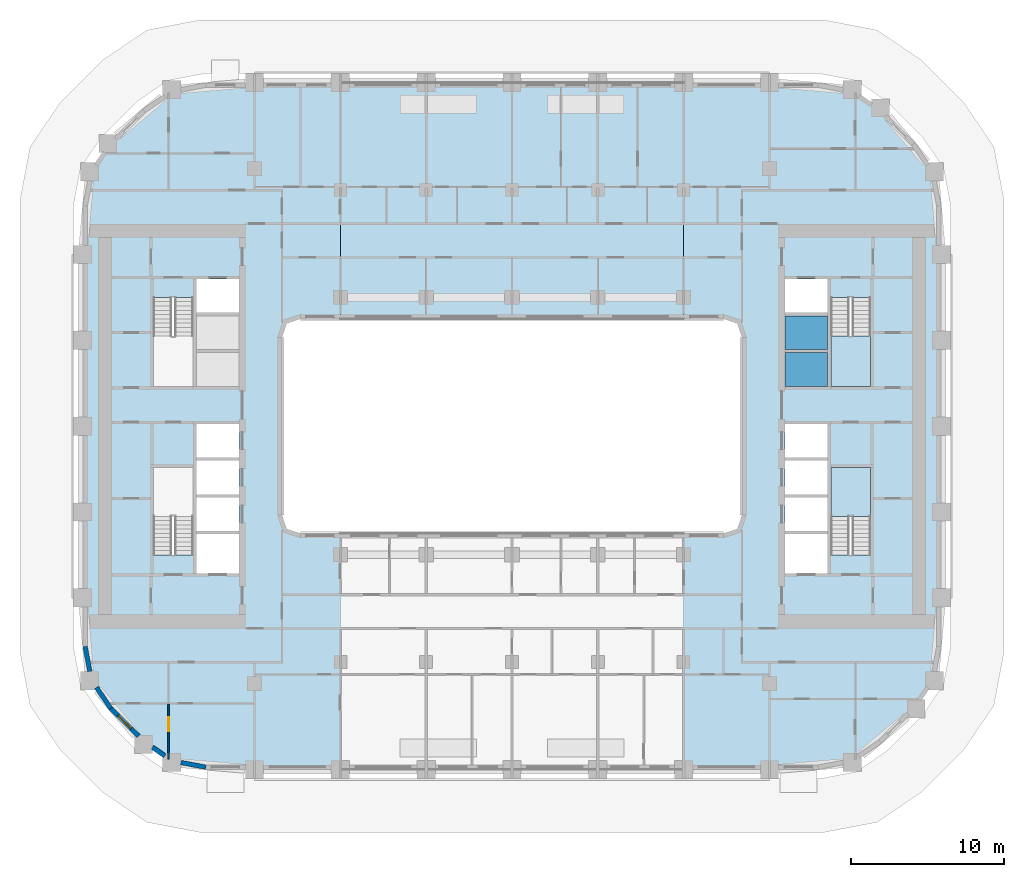
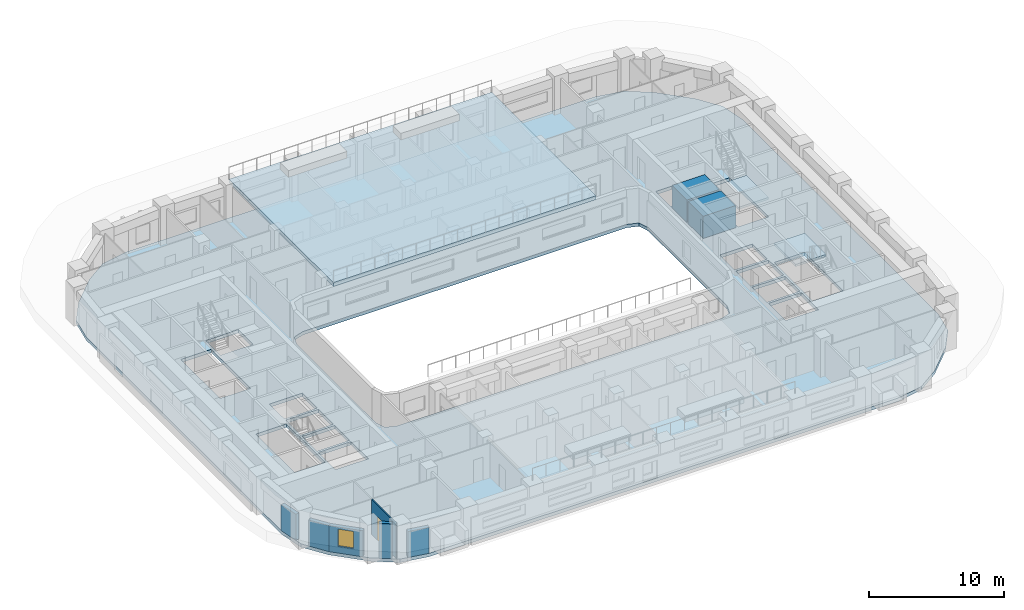
# One storey, part 2 of 18: 6 slabs, 6 walls, 1 door, 1 window, 2 openings, 2 elements without a shape of their own.
"""IFC4 building model written with IfcOpenShell, lengths in metres."""

from ifc_helpers import new_model, si_unit, direction, frame, frame_2d, origin, place, context, subcontext, project, spatial, polyline, rectangle, outline, extrude, material, layer, layer_set, type_object, element, fill, aggregate, save


model = new_model("IFC4")

# Units and contexts
model_context = context("Model", 3, precision=1e-05, world=origin(), true_north=direction((0.0, 1.0)))
body_context = subcontext(model_context, "Body", "Model", "MODEL_VIEW")
ifc_project = project(units=[si_unit("LENGTHUNIT", "METRE"), si_unit("AREAUNIT", "SQUARE_METRE"), si_unit("VOLUMEUNIT", "CUBIC_METRE"), si_unit("PLANEANGLEUNIT", "RADIAN"), si_unit("MASSUNIT", "GRAM", prefix="KILO")], contexts=[model_context])

# Site, building, storey
site_placement = place(None, origin())
site = spatial("IfcSite", under=ifc_project, at=site_placement, CompositionType="ELEMENT")
building_placement = place(site_placement, origin())
building = spatial("IfcBuilding", under=site, at=building_placement, Name="Kiln Ring Residences", CompositionType="ELEMENT")
storey_placement = place(building_placement, frame((0.0, 0.0, 121.800048828125)))
storey = spatial("IfcBuildingStorey", under=building, at=storey_placement, Name="L31", CompositionType="ELEMENT", Elevation=121.800048828125)

# Slabs
ifc_material_1 = material(Name="Concrete C40/50", Category="concrete")
ifc_layer_1 = layer(ifc_material_1, 2.0)
ifc_layer_set_1 = layer_set([ifc_layer_1], Name="CORE-PIT-BASE")
slab_type_1 = type_object("IfcSlabType", Name="CORE-PIT-BASE", PredefinedType="USERDEFINED", material=ifc_layer_set_1)
placement_1 = place(storey_placement, origin())
element("IfcSlab", 1, at=placement_1, inside=storey, type_object=slab_type_1, Name="Lift pit base E-M1", ObjectType="Lift pit base", PredefinedType="USERDEFINED", context=body_context, shape_type="SweptSolid", body=[
    extrude(outline(polyline([(17.800048828125, 2.60009765625), (20.60009765625, 2.60009765625), (20.60009765625, 4.800048828125), (17.800048828125, 4.800048828125), (17.800048828125, 2.60009765625)])), origin(), (0.0, 0.0, 1.0), 2.0),
])
element("IfcSlab", 2, at=placement_1, inside=storey, type_object=slab_type_1, Name="Lift pit base E-M2", ObjectType="Lift pit base", PredefinedType="USERDEFINED", context=body_context, shape_type="SweptSolid", body=[
    extrude(outline(polyline([(17.800048828125, 5.0), (20.60009765625, 5.0), (20.60009765625, 7.199951171875), (17.800048828125, 7.199951171875), (17.800048828125, 5.0)])), origin(), (0.0, 0.0, 1.0), 2.0),
])

# Stair, slab
ifc_material_2 = material(Name="Concrete C40/50", Category="concrete")
stair_type = type_object("IfcStairType", Name="CORE-STAIR", PredefinedType="HALF_TURN_STAIR", material=ifc_material_2)
stair_1 = element("IfcStair", 3, at=placement_1, inside=storey, type_object=stair_type, Name="L31 stair E-STN", PredefinedType="HALF_TURN_STAIR")
ifc_material_3 = material(Name="Concrete C40/50", Category="concrete")
ifc_layer_2 = layer(ifc_material_3, 0.199951171875)
ifc_layer_set_2 = layer_set([ifc_layer_2], Name="CORE-STAIR-LANDING")
slab_type_2 = type_object("IfcSlabType", Name="CORE-STAIR-LANDING", PredefinedType="LANDING", material=ifc_layer_set_2)
placement_2 = place(storey_placement, frame((0.0, 0.0, 1.550048828125)))
slab_3 = element("IfcSlab", 4, at=placement_2, type_object=slab_type_2, Name="E-STN landing 1", PredefinedType="LANDING", context=body_context, shape_type="SweptSolid", body=[
    extrude(outline(polyline([(20.800048828125, 5.8798828125), (20.800048828125, 2.60009765625), (23.39990234375, 2.60009765625), (23.39990234375, 5.8798828125), (20.800048828125, 5.8798828125)])), origin(), (0.0, 0.0, 1.0), 0.199951171875),
])
aggregate(stair_1, [slab_3])

stair_2 = element("IfcStair", 5, at=placement_1, inside=storey, type_object=stair_type, Name="L31 stair E-STS", PredefinedType="HALF_TURN_STAIR")
slab_4 = element("IfcSlab", 6, at=placement_2, type_object=slab_type_2, Name="E-STS landing 1", PredefinedType="LANDING", context=body_context, shape_type="SweptSolid", body=[
    extrude(outline(polyline([(23.39990234375, -5.8798828125), (23.39990234375, -2.699951171875), (20.800048828125, -2.699951171875), (20.800048828125, -5.8798828125), (23.39990234375, -5.8798828125)])), origin(), (0.0, 0.0, 1.0), 0.199951171875),
])
aggregate(stair_2, [slab_4])

# Slabs
ifc_material_4 = material(Name="Concrete C40/50", Category="concrete")
ifc_layer_3 = layer(ifc_material_4, 0.300048828125)
ifc_layer_set_3 = layer_set([ifc_layer_3], Name="Floor slab 300")
slab_type_3 = type_object("IfcSlabType", Name="Floor slab 300", PredefinedType="FLOOR", material=ifc_layer_set_3)
slab_5_placement = place(storey_placement, frame((0.0, 0.0, -0.300048828125)))
element("IfcSlab", 7, at=slab_5_placement, inside=storey, type_object=slab_type_3, Name="Floor slab L31 1", PredefinedType="FLOOR", context=body_context, shape_type="SweptSolid", body=[
    extrude(outline(polyline([(-26.302978515625, -18.4970703125), (-24.09716796875, -20.702880859375), (-22.224365234375, -21.975830078125), (-20.0, -22.39990234375), (20.0, -22.39990234375), (22.224365234375, -21.975830078125), (24.09716796875, -20.702880859375), (26.302978515625, -18.4970703125), (27.57568359375, -16.624267578125), (28.0, -14.39990234375), (28.0, 14.39990234375), (27.57568359375, 16.624267578125), (26.302978515625, 18.4970703125), (24.09716796875, 20.702880859375), (22.224365234375, 21.975830078125), (20.0, 22.39990234375), (-20.0, 22.39990234375), (-22.224365234375, 21.975830078125), (-24.09716796875, 20.702880859375), (-26.302978515625, 18.4970703125), (-27.57568359375, 16.624267578125), (-28.0, 14.39990234375), (-28.0, -14.39990234375), (-27.57568359375, -16.624267578125), (-26.302978515625, -18.4970703125)]), holes=[polyline([(-14.699951171875, -6.699951171875), (-15.0, -5.800048828125), (-15.0, 5.800048828125), (-14.699951171875, 6.699951171875), (-13.800048828125, 7.0), (13.800048828125, 7.0), (14.699951171875, 6.699951171875), (15.0, 5.800048828125), (15.0, -5.800048828125), (14.699951171875, -6.699951171875), (13.800048828125, -7.0), (-13.800048828125, -7.0), (-14.699951171875, -6.699951171875)]), polyline([(20.800048828125, -8.39794921875), (20.800048828125, -2.699951171875), (23.39990234375, -2.699951171875), (23.39990234375, -8.39794921875), (20.800048828125, -8.39794921875)]), polyline([(20.800048828125, 2.60009765625), (20.800048828125, 8.39794921875), (23.39990234375, 8.39794921875), (23.39990234375, 2.60009765625), (20.800048828125, 2.60009765625)]), polyline([(17.800048828125, -6.85009765625), (17.800048828125, -4.64990234375), (20.60009765625, -4.64990234375), (20.60009765625, -6.85009765625), (17.800048828125, -6.85009765625)]), polyline([(17.800048828125, -4.449951171875), (17.800048828125, -2.25), (20.60009765625, -2.25), (20.60009765625, -4.449951171875), (17.800048828125, -4.449951171875)]), polyline([(17.800048828125, -2.050048828125), (17.800048828125, 0.14990234375), (20.60009765625, 0.14990234375), (20.60009765625, -2.050048828125), (17.800048828125, -2.050048828125)]), polyline([(17.800048828125, 7.39990234375), (17.800048828125, 9.60009765625), (20.60009765625, 9.60009765625), (20.60009765625, 7.39990234375), (17.800048828125, 7.39990234375)]), polyline([(20.60009765625, -9.60009765625), (17.800048828125, -9.60009765625), (17.800048828125, -7.050048828125), (20.60009765625, -7.050048828125), (20.60009765625, -9.60009765625)]), polyline([(-17.800048828125, -7.050048828125), (-17.800048828125, -9.60009765625), (-20.60009765625, -9.60009765625), (-20.60009765625, -7.050048828125), (-17.800048828125, -7.050048828125)]), polyline([(-17.800048828125, -6.85009765625), (-20.60009765625, -6.85009765625), (-20.60009765625, -4.64990234375), (-17.800048828125, -4.64990234375), (-17.800048828125, -6.85009765625)]), polyline([(-17.800048828125, -4.449951171875), (-20.60009765625, -4.449951171875), (-20.60009765625, -2.25), (-17.800048828125, -2.25), (-17.800048828125, -4.449951171875)]), polyline([(-17.800048828125, -2.050048828125), (-20.60009765625, -2.050048828125), (-20.60009765625, 0.14990234375), (-17.800048828125, 0.14990234375), (-17.800048828125, -2.050048828125)]), polyline([(-17.800048828125, 7.39990234375), (-20.60009765625, 7.39990234375), (-20.60009765625, 9.60009765625), (-17.800048828125, 9.60009765625), (-17.800048828125, 7.39990234375)]), polyline([(-20.800048828125, -8.39794921875), (-23.39990234375, -8.39794921875), (-23.39990234375, -2.699951171875), (-20.800048828125, -2.699951171875), (-20.800048828125, -8.39794921875)]), polyline([(-20.800048828125, 2.60009765625), (-23.39990234375, 2.60009765625), (-23.39990234375, 8.39794921875), (-20.800048828125, 8.39794921875), (-20.800048828125, 2.60009765625)])]), origin(), (0.0, 0.0, 1.0), 0.300048828125),
])
ifc_material_5 = material(Name="Concrete C40/50", Category="concrete")
ifc_layer_4 = layer(ifc_material_5, 0.35009765625)
ifc_layer_set_4 = layer_set([ifc_layer_4], Name="Roof slab 350")
slab_type_4 = type_object("IfcSlabType", Name="Roof slab 350", PredefinedType="ROOF", material=ifc_layer_set_4)
slab_6_placement = place(storey_placement, frame((0.0, 0.0, 3.14990234375)))
element("IfcSlab", 8, at=slab_6_placement, inside=storey, type_object=slab_type_4, Name="Roof slab L31 2", PredefinedType="ROOF", context=body_context, shape_type="SweptSolid", body=[
    extrude(outline(polyline([(-11.199462890625, 22.39990234375), (-11.199462890625, 7.0), (11.199462890625, 7.0), (11.199462890625, 22.39990234375), (-11.199462890625, 22.39990234375)])), origin(), (0.0, 0.0, 1.0), 0.35009765625),
])

# Wall, opening, window
ifc_material_6 = material(Name="Brick masonry, dark clay brick", Category="masonry")
ifc_layer_5 = layer(ifc_material_6, 0.300048828125)
ifc_layer_set_5 = layer_set([ifc_layer_5], Name="EW-300 BRICK WALL")
wall_type_1 = type_object("IfcWallType", Name="EW-300 BRICK WALL", PredefinedType="SOLIDWALL", material=ifc_layer_set_5)
wall_1_placement = place(storey_placement, frame((-26.19677734375, -18.390869140625, 0.0), z_axis=(0.0, 0.0, 1.0), x_axis=(0.707059830104, -0.707153729152, 0.0)))
wall_1 = element("IfcWall", 9, at=wall_1_placement, inside=storey, type_object=wall_type_1, Name="Facade wall L31 1", PredefinedType="SOLIDWALL", context=body_context, shape_type="SweptSolid", body=[
    extrude(rectangle(XDim=2.60009765625, YDim=0.300048828125, at=frame_2d((1.300048828125, 0.0))), origin(), (0.0, 0.0, 1.0), 2.349853515625),
])
opening_1_placement = place(wall_1_placement, frame((0.699951171875, 0.0, 0.60009765625)))
opening_1 = element("IfcOpeningElement", 10, at=opening_1_placement, cuts=wall_1, Name="Opening W1", PredefinedType="OPENING", context=body_context, shape_type="SweptSolid", body=[
    extrude(rectangle(XDim=1.199951171875, YDim=1.550048828125, at=frame_2d((0.60009765625, 0.77490234375))), frame((0.0, 0.159912109375, 0.0), z_axis=(0.0, -1.0, 0.0), x_axis=(1.0, 0.0, 0.0)), (0.0, 0.0, 1.0), 0.320068359375),
])
ifc_material_7 = material(Name="Aluminium frame with double glazing", Category="aluminium")
window_type = type_object("IfcWindowType", Name="WINDOW 1200 x 1550", PartitioningType="SINGLE_PANEL", PredefinedType="WINDOW", material=ifc_material_7)
window_placement = place(opening_1_placement, origin())
window = element("IfcWindow", 11, at=window_placement, inside=storey, type_object=window_type, Name="Window L31 1", OverallHeight=1.550048828125, OverallWidth=1.199951171875, PartitioningType="SINGLE_PANEL", PredefinedType="WINDOW", context=body_context, shape_type="SweptSolid", body=[
    extrude(rectangle(XDim=1.199951171875, YDim=1.550048828125, at=frame_2d((0.60009765625, 0.77490234375))), frame((0.0, 0.030029296875, 0.0), z_axis=(0.0, -1.0, 0.0), x_axis=(1.0, 0.0, 0.0)), (0.0, 0.0, 1.0), 0.06005859375),
])
fill(opening_1, window)

# Walls
wall_2_placement = place(storey_placement, frame((-23.451171875, -20.96044921875, 0.0), z_axis=(0.0, 0.0, 1.0), x_axis=(0.827019434577, -0.562173331661, 0.0)))
element("IfcWall", 12, at=wall_2_placement, inside=storey, type_object=wall_type_1, Name="Facade wall L31 2", PredefinedType="SOLIDWALL", context=body_context, shape_type="SweptSolid", body=[
    extrude(rectangle(XDim=0.97705078125, YDim=0.300048828125, at=frame_2d((0.488525390625, 0.0))), origin(), (0.0, 0.0, 1.0), 3.14990234375),
])
wall_3_placement = place(storey_placement, frame((-21.5986328125, -21.9423828125, 0.0), z_axis=(0.0, 0.0, 1.0), x_axis=(0.98228820662, -0.187376303559, 0.0)))
element("IfcWall", 13, at=wall_3_placement, inside=storey, type_object=wall_type_1, Name="Facade wall L31 3", PredefinedType="SOLIDWALL", context=body_context, shape_type="SweptSolid", body=[
    extrude(rectangle(XDim=1.656005859375, YDim=0.300048828125, at=frame_2d((0.828125, 0.0))), origin(), (0.0, 0.0, 1.0), 2.349853515625),
])
for number, where, z_axis, x_axis, name in (
    (14, (-27.8525390625, -14.371826171875, 0.0), (0.0, 0.0, 1.0), (0.187349172861, -0.982293381546, 0.0), "Facade wall L31 47"),
    (15, (-27.10986328125, -17.04296875, 0.0), (0.0, 0.0, 1.0), (0.562060017944, -0.82709644917, 0.0), "Facade wall L31 48"),
):
    element("IfcWall", number, at=place(storey_placement, frame(where, z_axis=z_axis, x_axis=x_axis)), inside=storey, type_object=wall_type_1, Name=name, PredefinedType="SOLIDWALL", context=body_context, shape_type="SweptSolid", body=[
        extrude(rectangle(XDim=1.65625, YDim=0.300048828125, at=frame_2d((0.828125, 0.0))), origin(), (0.0, 0.0, 1.0), 2.349853515625),
    ])

# Wall, opening, door
ifc_material_8 = material(Name="Gypsum board on steel studs", Category="steel")
ifc_layer_6 = layer(ifc_material_8, 0.10009765625)
ifc_layer_set_6 = layer_set([ifc_layer_6], Name="PARTITION-100")
wall_type_2 = type_object("IfcWallType", Name="PARTITION-100", PredefinedType="PARTITIONING", material=ifc_layer_set_6)
wall_4_placement = place(storey_placement, frame((-22.39990234375, -21.719970703125, 0.0), z_axis=(0.0, 0.0, 1.0), x_axis=(0.0, 1.0, 0.0)))
wall_4 = element("IfcWall", 16, at=wall_4_placement, inside=storey, type_object=wall_type_2, Name="Partition 014", PredefinedType="PARTITIONING", context=body_context, shape_type="SweptSolid", body=[
    extrude(rectangle(XDim=3.570068359375, YDim=0.10009765625, at=frame_2d((1.78515625, 0.0))), origin(), (0.0, 0.0, 1.0), 3.14990234375),
])
opening_2_placement = place(wall_4_placement, frame((1.820068359375, 0.0, 0.0)))
opening_2 = element("IfcOpeningElement", 17, at=opening_2_placement, cuts=wall_4, Name="Opening L31-D076", PredefinedType="OPENING", context=body_context, shape_type="SweptSolid", body=[
    extrude(rectangle(XDim=0.89990234375, YDim=2.10009765625, at=frame_2d((0.449951171875, 1.050048828125))), frame((0.0, 0.06005859375, 0.0), z_axis=(0.0, -1.0, 0.0), x_axis=(1.0, 0.0, 0.0)), (0.0, 0.0, 1.0), 0.1201171875),
])
ifc_material_9 = material(Name="Timber door leaf", Category="wood")
door_type = type_object("IfcDoorType", Name="FLAT-DOOR-900-PL", OperationType="SINGLE_SWING_LEFT", PredefinedType="DOOR", material=ifc_material_9)
door_placement = place(opening_2_placement, origin())
door = element("IfcDoor", 18, at=door_placement, inside=storey, type_object=door_type, Name="Door L31-D076", OperationType="SINGLE_SWING_LEFT", OverallHeight=2.10009765625, OverallWidth=0.89990234375, PredefinedType="DOOR", context=body_context, shape_type="SweptSolid", body=[
    extrude(rectangle(XDim=0.89990234375, YDim=2.10009765625, at=frame_2d((0.449951171875, 1.050048828125))), frame((0.0, 0.02490234375, 0.0), z_axis=(0.0, -1.0, 0.0), x_axis=(1.0, 0.0, 0.0)), (0.0, 0.0, 1.0), 0.050048828125),
])
fill(opening_2, door)

save(model, "model.ifc")
